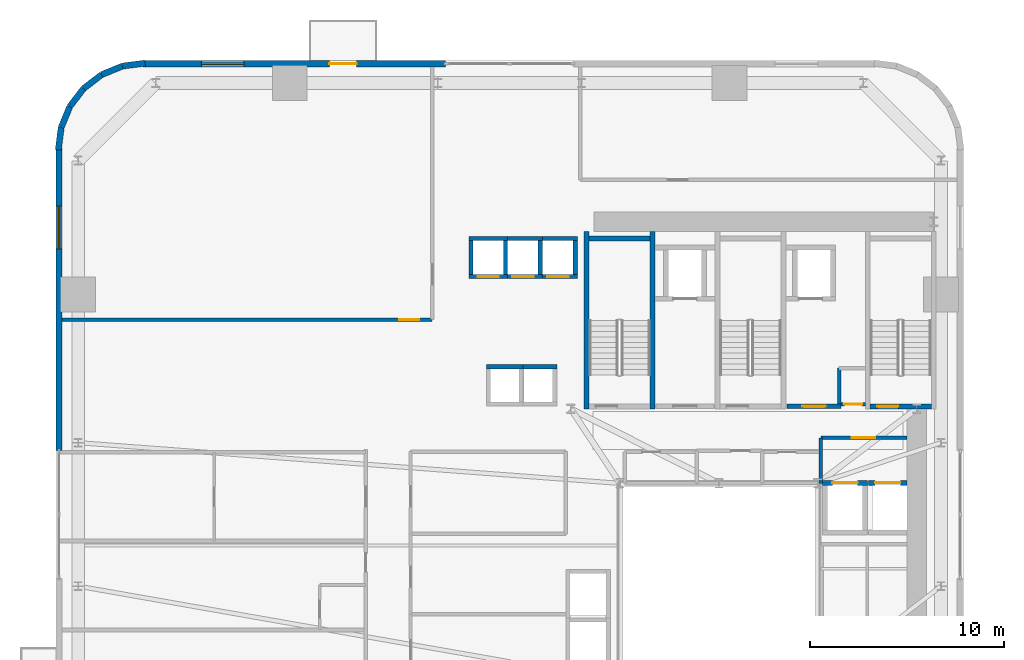
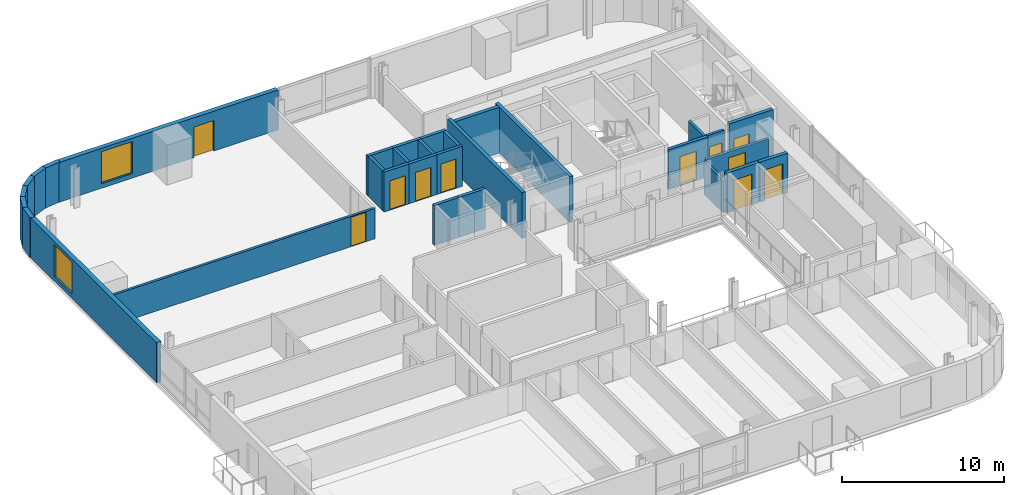
# One storey, part 8 of 13: 32 walls, 11 doors, 2 windows, 13 openings.
"""IFC4 building model written with IfcOpenShell, lengths in metres."""

import ifcopenshell
import ifcopenshell.guid

model = None  # the IFC model being written
_history = None  # IfcOwnerHistory: only IFC2X3 demands one
_inside = {}  # id of a spatial element -> (the spatial element, [elements in it])
_under = {}  # id of a project, library or spatial element -> (it, [spatial elements below it])
_declared = {}  # id of a project -> (the project, [libraries it declares])
_typed = {}  # id of a type object -> (the type object, [elements of that type])
_made_of = {}  # id of a material, layer set ... -> (it, [elements and type objects made of it])


def new_model(schema):
    """Start an empty IFC model of exactly this schema.

    Asked for "IFC4X3", IfcOpenShell would pick the latest addendum, in which some entities
    have other attributes; the version numbers below select the first issue.
    IFC2X3 requires an IfcOwnerHistory on every rooted entity: one is made here for all.
    """
    global model, _history
    if schema == "IFC4X3":
        model = ifcopenshell.file(schema_version=(4, 3, 0, 0))
    else:
        model = ifcopenshell.file(schema=schema)
    _inside.clear()
    _under.clear()
    _declared.clear()
    _typed.clear()
    _made_of.clear()
    _history = None
    if model.schema == "IFC2X3":
        org = make("IfcOrganization", Name="unknown")
        user = make(
            "IfcPersonAndOrganization",
            ThePerson=make("IfcPerson", FamilyName="unknown"),
            TheOrganization=org,
        )
        app = make(
            "IfcApplication",
            ApplicationDeveloper=org,
            Version="unknown",
            ApplicationFullName="unknown",
            ApplicationIdentifier="unknown",
        )
        _history = make(
            "IfcOwnerHistory",
            OwningUser=user,
            OwningApplication=app,
            ChangeAction="ADDED",
            CreationDate=0,
        )
    return model


def make(cls, **values):
    """One entity of the class cls with the attributes given. An attribute that is None is left unset."""
    return model.create_entity(
        cls, **{name: value for name, value in values.items() if value is not None}
    )


def rooted(cls, **values):
    """An entity with a GlobalId (a new one), such as an element, a storey or a relation."""
    return make(cls, GlobalId=ifcopenshell.guid.new(), OwnerHistory=_history, **values)


def si_unit(unit_type, name, prefix=None):
    """IfcSIUnit, for example si_unit("LENGTHUNIT", "METRE", prefix="MILLI")."""
    return make("IfcSIUnit", UnitType=unit_type, Prefix=prefix, Name=name)


def assignment(units):
    """IfcUnitAssignment: the units of a project."""
    return None if units is None else make("IfcUnitAssignment", Units=units)


def point(xyz):
    """IfcCartesianPoint."""
    return None if xyz is None else make("IfcCartesianPoint", Coordinates=xyz)


def direction(xyz):
    """IfcDirection."""
    return None if xyz is None else make("IfcDirection", DirectionRatios=xyz)


def frame(location, z_axis=None, x_axis=None):
    """IfcAxis2Placement3D, a coordinate frame: its origin and axes. An axis left out is left unset."""
    return make(
        "IfcAxis2Placement3D",
        Location=point(location),
        Axis=direction(z_axis),
        RefDirection=direction(x_axis),
    )


def frame_2d(location, x_axis=None):
    """IfcAxis2Placement2D, a coordinate frame in the plane: its origin and x axis."""
    return make(
        "IfcAxis2Placement2D", Location=point(location), RefDirection=direction(x_axis)
    )


def origin():
    """The frame at (0, 0, 0) with its axes left unset."""
    return frame((0.0, 0.0, 0.0))


def place(relative_to, where):
    """IfcLocalPlacement: puts the frame where relative to a parent placement (None: the world)."""
    return make(
        "IfcLocalPlacement", PlacementRelTo=relative_to, RelativePlacement=where
    )


def context(
    kind, dimensions, precision=None, world=None, true_north=None, identifier=None
):
    """IfcGeometricRepresentationContext, for example the 3D "Model" context."""
    return make(
        "IfcGeometricRepresentationContext",
        ContextIdentifier=identifier,
        ContextType=kind,
        CoordinateSpaceDimension=dimensions,
        Precision=precision,
        WorldCoordinateSystem=world,
        TrueNorth=true_north,
    )


def subcontext(parent, identifier, kind, view, scale=None):
    """IfcGeometricRepresentationSubContext, for example "Body" below "Model"."""
    return make(
        "IfcGeometricRepresentationSubContext",
        ContextIdentifier=identifier,
        ContextType=kind,
        ParentContext=parent,
        TargetScale=scale,
        TargetView=view,
    )


def project(units=None, contexts=None):
    """IfcProject with its units and contexts."""
    return rooted(
        "IfcProject",
        Name="project",
        RepresentationContexts=contexts,
        UnitsInContext=assignment(units),
    )


def spatial(cls, under=None, at=None, **own):
    """A site, building, storey or space (cls), placed at a placement, below another one or the project."""
    s = rooted(cls, ObjectPlacement=at, **own)
    if under is not None:
        _under.setdefault(under.id(), (under, []))[1].append(s)
    return s


def profile(cls, at=None, kind="AREA", **sizes):
    """A parametric profile (cls). Its sizes go by their IFC names, for example OverallWidth=200.0."""
    return make(cls, ProfileType=kind, Position=at, **sizes)


def rectangle(**sizes):
    """IfcRectangleProfileDef."""
    return profile("IfcRectangleProfileDef", **sizes)


def extrude(swept, where, along, depth):
    """IfcExtrudedAreaSolid: the profile swept, set in the frame where, extruded along a direction by depth."""
    return make(
        "IfcExtrudedAreaSolid",
        SweptArea=swept,
        Position=where,
        ExtrudedDirection=direction(along),
        Depth=depth,
    )


def shape(context_of_items, identifier, shape_type, items):
    """IfcShapeRepresentation: the items that make up one representation, for example the "Body"."""
    return make(
        "IfcShapeRepresentation",
        ContextOfItems=context_of_items,
        RepresentationIdentifier=identifier,
        RepresentationType=shape_type,
        Items=items,
    )


def source(mapping_origin, context_of_items, identifier, shape_type, items):
    """IfcRepresentationMap: a shape defined once, which mapped items show again and again."""
    return make(
        "IfcRepresentationMap",
        MappingOrigin=mapping_origin,
        MappedRepresentation=shape(context_of_items, identifier, shape_type, items),
    )


def transform(
    local_origin,
    x_axis=None,
    y_axis=None,
    z_axis=None,
    scale=None,
    scale2=None,
    scale3=None,
    uniform=True,
):
    """IfcCartesianTransformationOperator3D, or its non-uniform kind. x_axis, y_axis, z_axis: its Axis1, 2, 3."""
    if uniform:
        return make(
            "IfcCartesianTransformationOperator3D",
            Axis1=direction(x_axis),
            Axis2=direction(y_axis),
            LocalOrigin=point(local_origin),
            Scale=scale,
            Axis3=direction(z_axis),
        )
    return make(
        "IfcCartesianTransformationOperator3DnonUniform",
        Axis1=direction(x_axis),
        Axis2=direction(y_axis),
        LocalOrigin=point(local_origin),
        Scale=scale,
        Axis3=direction(z_axis),
        Scale2=scale2,
        Scale3=scale3,
    )


def mapped(mapping_source, mapping_target):
    """IfcMappedItem: shows the shape of a source again, moved by a transform."""
    return make(
        "IfcMappedItem", MappingSource=mapping_source, MappingTarget=mapping_target
    )


def material(Name=None, Category=None):
    """IfcMaterial."""
    return make("IfcMaterial", Name=Name, Category=Category)


def layer(
    of_material, thickness, ventilated=None, Name=None, Category=None, Priority=None
):
    """IfcMaterialLayer: one layer of a wall or slab, of a material (None: an air gap)."""
    return make(
        "IfcMaterialLayer",
        Material=of_material,
        LayerThickness=thickness,
        IsVentilated=ventilated,
        Name=Name,
        Category=Category,
        Priority=Priority,
    )


def layer_set(layers, Name=None):
    """IfcMaterialLayerSet."""
    return make("IfcMaterialLayerSet", MaterialLayers=layers, LayerSetName=Name)


def made_of(thing, what):
    """Note that an element or type object is made of a material, layer set ...; save() writes the relation."""
    if what is not None:
        _made_of.setdefault(what.id(), (what, []))[1].append(thing)
    return thing


def type_object(cls, material=None, **own):
    """A type object (cls), such as IfcWallType, which elements share."""
    return made_of(rooted(cls, **own), material)


def element(
    cls,
    number,
    at=None,
    inside=None,
    cuts=None,
    type_object=None,
    material=None,
    context=None,
    identifier="Body",
    shape_type=None,
    held_by="IfcProductDefinitionShape",
    body=None,
    shapes=None,
    **own,
):
    """One element of the class cls, such as IfcWall. Its Tag is "e" and its number.

    at: its placement. inside: the storey or other place that contains it. cuts: it is an
    opening in that element (IfcRelVoidsElement). A single representation is given by context,
    identifier, shape_type and body (its items); several are given by shapes. held_by: the class
    of the entity that holds the representations. save() writes the other relations.
    """
    e = rooted(cls, Tag="e%d" % number, ObjectPlacement=at, **own)
    if body is not None:
        shapes = [shape(context, identifier, shape_type, body)]
    if shapes is not None:
        e.Representation = make(held_by, Representations=shapes)
    if inside is not None:
        _inside.setdefault(inside.id(), (inside, []))[1].append(e)
    if cuts is not None:
        rooted(
            "IfcRelVoidsElement", RelatingBuildingElement=cuts, RelatedOpeningElement=e
        )
    if type_object is not None:
        _typed.setdefault(type_object.id(), (type_object, []))[1].append(e)
    return made_of(e, material)


def fill(opening, filler):
    """IfcRelFillsElement: the door or window that sits in an opening."""
    return rooted(
        "IfcRelFillsElement",
        RelatingOpeningElement=opening,
        RelatedBuildingElement=filler,
    )


def aggregate(whole, parts):
    """IfcRelAggregates: a whole, such as a stair, and the parts it consists of."""
    return rooted("IfcRelAggregates", RelatingObject=whole, RelatedObjects=parts)


def save(model, path):
    """Write the relations noted so far, then the file.

    IfcRelAggregates (storeys below a building ...), IfcRelContainedInSpatialStructure (elements
    in a storey), IfcRelDefinesByType, IfcRelAssociatesMaterial and IfcRelDeclares: one each for
    every whole, place, type object, material and project.
    """
    for whole, parts in _under.values():
        aggregate(whole, parts)
    for where, things in _inside.values():
        rooted(
            "IfcRelContainedInSpatialStructure",
            RelatedElements=things,
            RelatingStructure=where,
        )
    for kind, things in _typed.values():
        rooted("IfcRelDefinesByType", RelatedObjects=things, RelatingType=kind)
    for what, things in _made_of.values():
        rooted("IfcRelAssociatesMaterial", RelatedObjects=things, RelatingMaterial=what)
    for by, libraries in _declared.values():
        rooted("IfcRelDeclares", RelatingContext=by, RelatedDefinitions=libraries)
    model.write(path)


model = new_model("IFC4")

# Units and contexts
model_context = context("Model", 3, precision=1e-05, world=origin(), true_north=direction((0.0, 1.0)))
body_context = subcontext(model_context, "Body", "Model", "MODEL_VIEW")
ifc_project = project(units=[si_unit("LENGTHUNIT", "METRE"), si_unit("AREAUNIT", "SQUARE_METRE"), si_unit("VOLUMEUNIT", "CUBIC_METRE"), si_unit("PLANEANGLEUNIT", "RADIAN"), si_unit("MASSUNIT", "GRAM", prefix="KILO")], contexts=[model_context])

# Site, building, storey
site_placement = place(None, origin())
site = spatial("IfcSite", under=ifc_project, at=site_placement, CompositionType="ELEMENT")
building_placement = place(site_placement, origin())
building = spatial("IfcBuilding", under=site, at=building_placement, Name="Vardaveli Station Tower", CompositionType="ELEMENT")
storey_placement = place(building_placement, frame((0.0, 0.0, 89.64990234375)))
storey = spatial("IfcBuildingStorey", under=building, at=storey_placement, Name="L23", CompositionType="ELEMENT", Elevation=89.64990234375)

# Wall, openings, door, window
ifc_material_1 = material(Name="Precast concrete C45/55", Category="concrete")
ifc_layer_1 = layer(ifc_material_1, 0.320068359375, Name="Precast concrete C45/55")
ifc_layer_set_1 = layer_set([ifc_layer_1], Name="Precast concrete C45/55")
wall_type_1 = type_object("IfcWallType", Name="WAL-EXT-STONE-320", PredefinedType="SOLIDWALL", material=ifc_layer_set_1)
shared_shape_1 = source(origin(), body_context, "Body", "SweptSolid", [
    extrude(rectangle(XDim=15.599853515625, YDim=0.320068359375, at=frame_2d((7.7998046875, 0.0))), origin(), (0.0, 0.0, 1.0), 3.0),
])
wall_1_placement = place(storey_placement, frame((22.199951171875, 48.43994140625, 0.0), z_axis=(0.0, 0.0, 1.0), x_axis=(-1.0, 0.0, 0.0)))
wall_1 = element("IfcWall", 1, at=wall_1_placement, inside=storey, type_object=wall_type_1, Name="EW-L23-N2", PredefinedType="SOLIDWALL", context=body_context, shape_type="MappedRepresentation", body=[
    mapped(shared_shape_1, transform((0.0, 0.0, 0.0), scale=1.0)),
])
shared_shape_2 = source(origin(), body_context, "Body", "SweptSolid", [
    extrude(rectangle(XDim=1.39990234375, YDim=2.300048828125, at=frame_2d((0.699951171875, 1.14990234375))), frame((0.0, 0.169921875, 0.0), z_axis=(0.0, -1.0, 0.0), x_axis=(1.0, 0.0, 0.0)), (0.0, 0.0, 1.0), 0.340087890625),
])
opening_1_placement = place(wall_1_placement, frame((4.589599609375, 0.0, 0.0)))
opening_1 = element("IfcOpeningElement", 2, at=opening_1_placement, cuts=wall_1, Name="Opening D-09", PredefinedType="OPENING", context=body_context, shape_type="MappedRepresentation", body=[
    mapped(shared_shape_2, transform((0.0, 0.0, 0.0), scale=1.0)),
])
shared_shape_3 = source(origin(), body_context, "Body", "SweptSolid", [
    extrude(rectangle(XDim=2.199951171875, YDim=2.39990234375, at=frame_2d((1.10009765625, 1.199951171875))), frame((0.0, 0.169921875, 0.0), z_axis=(0.0, -1.0, 0.0), x_axis=(1.0, 0.0, 0.0)), (0.0, 0.0, 1.0), 0.340087890625),
])
opening_2_placement = place(wall_1_placement, frame((10.39501953125, 0.0, 0.35009765625)))
opening_2 = element("IfcOpeningElement", 3, at=opening_2_placement, cuts=wall_1, Name="Opening W-03", PredefinedType="OPENING", context=body_context, shape_type="MappedRepresentation", body=[
    mapped(shared_shape_3, transform((0.0, 0.0, 0.0), scale=1.0)),
])
ifc_material_2 = material(Name="Thermally broken aluminium glass", Category="aluminium")
door_type_1 = type_object("IfcDoorType", Name="DR-LOG-1400x2300", OperationType="DOUBLE_DOOR_SLIDING", PredefinedType="DOOR", material=ifc_material_2)
shared_shape_4 = source(origin(), body_context, "Body", "SweptSolid", [
    extrude(rectangle(XDim=1.39990234375, YDim=2.300048828125, at=frame_2d((0.699951171875, 1.14990234375))), frame((0.0, 0.02490234375, 0.0), z_axis=(0.0, -1.0, 0.0), x_axis=(1.0, 0.0, 0.0)), (0.0, 0.0, 1.0), 0.050048828125),
])
door_1_placement = place(opening_1_placement, frame((1.39990234375, 0.0, 0.0), z_axis=(0.0, 0.0, 1.0), x_axis=(-1.0, 0.0, 0.0)))
door_1 = element("IfcDoor", 4, at=door_1_placement, inside=storey, type_object=door_type_1, Name="DLG-L23-N", OperationType="DOUBLE_DOOR_SLIDING", OverallHeight=2.300048828125, OverallWidth=1.39990234375, PredefinedType="DOOR", context=body_context, shape_type="MappedRepresentation", body=[
    mapped(shared_shape_4, transform((0.0, 0.0, 0.0), scale=1.0)),
])
fill(opening_1, door_1)
ifc_material_3 = material(Name="Low-E solar-control glass", Category="glass")
window_type = type_object("IfcWindowType", Name="WIN-LOG-2200x2400", PartitioningType="SINGLE_PANEL", PredefinedType="WINDOW", material=ifc_material_3)
shared_shape_5 = source(origin(), body_context, "Body", "SweptSolid", [
    extrude(rectangle(XDim=2.199951171875, YDim=2.39990234375, at=frame_2d((1.10009765625, 1.199951171875))), frame((0.0, 0.030029296875, 0.0), z_axis=(0.0, -1.0, 0.0), x_axis=(1.0, 0.0, 0.0)), (0.0, 0.0, 1.0), 0.06005859375),
])
window_1_placement = place(opening_2_placement, origin())
window_1 = element("IfcWindow", 5, at=window_1_placement, inside=storey, type_object=window_type, Name="WN-L23-N2", OverallHeight=2.39990234375, OverallWidth=2.199951171875, PartitioningType="SINGLE_PANEL", PredefinedType="WINDOW", context=body_context, shape_type="MappedRepresentation", body=[
    mapped(shared_shape_5, transform((0.0, 0.0, 0.0), scale=1.0)),
])
fill(opening_2, window_1)

# Wall, opening, window
shared_shape_6 = source(origin(), body_context, "Body", "SweptSolid", [
    extrude(rectangle(XDim=15.60009765625, YDim=0.320068359375, at=frame_2d((7.800048828125, 0.0))), origin(), (0.0, 0.0, 1.0), 3.0),
])
wall_2_placement = place(storey_placement, frame((2.260009765625, 44.10009765625, 0.0), z_axis=(0.0, 0.0, 1.0), x_axis=(0.0, -1.0, 0.0)))
wall_2 = element("IfcWall", 6, at=wall_2_placement, inside=storey, type_object=wall_type_1, Name="EW-L23-W1", PredefinedType="SOLIDWALL", context=body_context, shape_type="MappedRepresentation", body=[
    mapped(shared_shape_6, transform((0.0, 0.0, 0.0), scale=1.0)),
])
opening_3_placement = place(wall_2_placement, frame((3.0048828125, 0.0, 0.35009765625)))
opening_3 = element("IfcOpeningElement", 7, at=opening_3_placement, cuts=wall_2, Name="Opening W-03", PredefinedType="OPENING", context=body_context, shape_type="MappedRepresentation", body=[
    mapped(shared_shape_3, transform((0.0, 0.0, 0.0), scale=1.0)),
])
window_2_placement = place(opening_3_placement, origin())
window_2 = element("IfcWindow", 8, at=window_2_placement, inside=storey, type_object=window_type, Name="WN-L23-W1", OverallHeight=2.39990234375, OverallWidth=2.199951171875, PartitioningType="SINGLE_PANEL", PredefinedType="WINDOW", context=body_context, shape_type="MappedRepresentation", body=[
    mapped(shared_shape_5, transform((0.0, 0.0, 0.0), scale=1.0)),
])
fill(opening_3, window_2)

# Walls
shared_shape_7 = source(origin(), body_context, "Body", "SweptSolid", [
    extrude(rectangle(XDim=1.1689453125, YDim=0.320068359375, at=frame_2d((0.58447265625, 0.0))), origin(), (0.0, 0.0, 1.0), 3.0),
])
wall_3_placement = place(storey_placement, frame((3.53125, 47.1689453125, 0.0), z_axis=(0.0, 0.0, 1.0), x_axis=(-0.608387696831, -0.793639975269, 0.0)))
element("IfcWall", 9, at=wall_3_placement, inside=storey, type_object=wall_type_1, Name="EW-L23-CR4-4", PredefinedType="SOLIDWALL", context=body_context, shape_type="MappedRepresentation", body=[
    mapped(shared_shape_7, transform((0.0, 0.0, 0.0), scale=1.0)),
])
shared_shape_8 = source(origin(), body_context, "Body", "SweptSolid", [
    extrude(rectangle(XDim=1.168701171875, YDim=0.320068359375, at=frame_2d((0.58447265625, 0.0))), origin(), (0.0, 0.0, 1.0), 3.0),
])
wall_4_placement = place(storey_placement, frame((4.458740234375, 47.8798828125, 0.0), z_axis=(0.0, 0.0, 1.0), x_axis=(-0.793663520347, -0.608356981114, 0.0)))
element("IfcWall", 10, at=wall_4_placement, inside=storey, type_object=wall_type_1, Name="EW-L23-CR4-3", PredefinedType="SOLIDWALL", context=body_context, shape_type="MappedRepresentation", body=[
    mapped(shared_shape_8, transform((0.0, 0.0, 0.0), scale=1.0)),
])
shared_shape_9 = source(origin(), body_context, "Body", "SweptSolid", [
    extrude(rectangle(XDim=1.17041015625, YDim=0.320068359375, at=frame_2d((0.585205078125, 0.0))), origin(), (0.0, 0.0, 1.0), 3.0),
])
for number, where, z_axis, x_axis, name in (
    (11, (6.700439453125, 48.4755859375, 0.0), (0.0, 0.0, 1.0), (-0.991735963317, -0.128295670475, 0.0), "EW-L23-CR4-1"),
    (12, (2.37451171875, 45.16015625, 0.0), (0.0, 0.0, 1.0), (-0.128295670475, -0.991735963317, 0.0), "EW-L23-CR4-6"),
):
    element("IfcWall", number, at=place(storey_placement, frame(where, z_axis=z_axis, x_axis=x_axis)), inside=storey, type_object=wall_type_1, Name=name, PredefinedType="SOLIDWALL", context=body_context, shape_type="MappedRepresentation", body=[
        mapped(shared_shape_9, transform((0.0, 0.0, 0.0), scale=1.0)),
    ])
shared_shape_10 = source(origin(), body_context, "Body", "SweptSolid", [
    extrude(rectangle(XDim=1.169189453125, YDim=0.320068359375, at=frame_2d((0.58447265625, 0.0))), origin(), (0.0, 0.0, 1.0), 3.0),
])
for number, where, z_axis, x_axis, name in (
    (13, (5.539794921875, 48.325439453125, 0.0), (0.0, 0.0, 1.0), (-0.924552646638, -0.381054331552, 0.0), "EW-L23-CR4-2"),
    (14, (2.820068359375, 46.2412109375, 0.0), (0.0, 0.0, 1.0), (-0.381054331552, -0.924552646638, 0.0), "EW-L23-CR4-5"),
):
    element("IfcWall", number, at=place(storey_placement, frame(where, z_axis=z_axis, x_axis=x_axis)), inside=storey, type_object=wall_type_1, Name=name, PredefinedType="SOLIDWALL", context=body_context, shape_type="MappedRepresentation", body=[
        mapped(shared_shape_10, transform((0.0, 0.0, 0.0), scale=1.0)),
    ])
ifc_material_4 = material(Name="Concrete C40/50", Category="concrete")
ifc_layer_2 = layer(ifc_material_4, 0.25, Name="Concrete C40/50")
ifc_layer_set_2 = layer_set([ifc_layer_2], Name="Concrete C40/50")
wall_type_2 = type_object("IfcWallType", Name="WAL-SHAFT-250", PredefinedType="SOLIDWALL", material=ifc_layer_set_2)
shared_shape_11 = source(origin(), body_context, "Body", "SweptSolid", [
    extrude(rectangle(XDim=9.150146484375, YDim=0.25, at=frame_2d((4.5751953125, 0.0))), origin(), (0.0, 0.0, 1.0), 3.4501953125),
])
for number, where, z_axis, x_axis, name in (
    (15, (29.47509765625, 30.64990234375, 0.0), (0.0, 0.0, 1.0), (0.0, 1.0, 0.0), "W-L23-ST-1W"),
    (16, (32.875, 30.64990234375, 0.0), (0.0, 0.0, 1.0), (0.0, 1.0, 0.0), "W-L23-ST-1E"),
):
    element("IfcWall", number, at=place(storey_placement, frame(where, z_axis=z_axis, x_axis=x_axis)), inside=storey, type_object=wall_type_2, Name=name, PredefinedType="SOLIDWALL", context=body_context, shape_type="MappedRepresentation", body=[
        mapped(shared_shape_11, transform((0.0, 0.0, 0.0), scale=1.0)),
    ])
shared_shape_12 = source(origin(), body_context, "Body", "SweptSolid", [
    extrude(rectangle(XDim=3.14990234375, YDim=0.25, at=frame_2d((1.574951171875, 0.0))), origin(), (0.0, 0.0, 1.0), 3.4501953125),
])
wall_5_placement = place(storey_placement, frame((29.60009765625, 39.425048828125, 0.0), z_axis=(0.0, 0.0, 1.0), x_axis=(1.0, 0.0, 0.0)))
element("IfcWall", 17, at=wall_5_placement, inside=storey, type_object=wall_type_2, Name="W-L23-ST-1N", PredefinedType="SOLIDWALL", context=body_context, shape_type="MappedRepresentation", body=[
    mapped(shared_shape_12, transform((0.0, 0.0, 0.0), scale=1.0)),
])

# Wall, opening, door
wall_6_placement = place(storey_placement, frame((44.10009765625, 30.77490234375, 0.0), z_axis=(0.0, 0.0, 1.0), x_axis=(1.0, 0.0, 0.0)))
wall_6 = element("IfcWall", 18, at=wall_6_placement, inside=storey, type_object=wall_type_2, Name="W-L23-ST-3S", PredefinedType="SOLIDWALL", context=body_context, shape_type="MappedRepresentation", body=[
    mapped(shared_shape_12, transform((0.0, 0.0, 0.0), scale=1.0)),
])
shared_shape_13 = source(origin(), body_context, "Body", "SweptSolid", [
    extrude(rectangle(XDim=1.10009765625, YDim=2.199951171875, at=frame_2d((0.550048828125, 1.10009765625))), frame((0.0, 0.135009765625, 0.0), z_axis=(0.0, -1.0, 0.0), x_axis=(1.0, 0.0, 0.0)), (0.0, 0.0, 1.0), 0.27001953125),
])
opening_4_placement = place(wall_6_placement, frame((0.35009765625, 0.0, 0.0)))
opening_4 = element("IfcOpeningElement", 19, at=opening_4_placement, cuts=wall_6, Name="Opening D-04", PredefinedType="OPENING", context=body_context, shape_type="MappedRepresentation", body=[
    mapped(shared_shape_13, transform((0.0, 0.0, 0.0), scale=1.0)),
])
ifc_material_5 = material(Name="Steel smokeproof fire doorset", Category="steel")
door_type_2 = type_object("IfcDoorType", Name="DR-ST-1100x2200", OperationType="NOTDEFINED", PredefinedType="DOOR", material=ifc_material_5)
shared_shape_14 = source(origin(), body_context, "Body", "SweptSolid", [
    extrude(rectangle(XDim=1.10009765625, YDim=2.199951171875, at=frame_2d((0.550048828125, 1.10009765625))), frame((0.0, 0.02490234375, 0.0), z_axis=(0.0, -1.0, 0.0), x_axis=(1.0, 0.0, 0.0)), (0.0, 0.0, 1.0), 0.050048828125),
])
door_2_placement = place(opening_4_placement, origin())
door_2 = element("IfcDoor", 20, at=door_2_placement, inside=storey, type_object=door_type_2, Name="DST-3-L23", OperationType="SINGLE_SWING_LEFT", OverallHeight=2.199951171875, OverallWidth=1.10009765625, PredefinedType="DOOR", context=body_context, shape_type="MappedRepresentation", body=[
    mapped(shared_shape_14, transform((0.0, 0.0, 0.0), scale=1.0)),
])
fill(opening_4, door_2)

ifc_layer_3 = layer(ifc_material_4, 0.219970703125, Name="Concrete C40/50")
ifc_layer_set_3 = layer_set([ifc_layer_3], Name="Concrete C40/50")
wall_type_3 = type_object("IfcWallType", Name="WAL-FFLOBBY-220", PredefinedType="SOLIDWALL", material=ifc_layer_set_3)
shared_shape_15 = source(origin(), body_context, "Body", "SweptSolid", [
    extrude(rectangle(XDim=2.800048828125, YDim=0.219970703125, at=frame_2d((1.39990234375, 0.0))), origin(), (0.0, 0.0, 1.0), 3.0),
])
wall_7_placement = place(storey_placement, frame((39.800048828125, 30.780029296875, 0.0), z_axis=(0.0, 0.0, 1.0), x_axis=(1.0, 0.0, 0.0)))
wall_7 = element("IfcWall", 21, at=wall_7_placement, inside=storey, type_object=wall_type_3, Name="W-L23-FFL2S", PredefinedType="SOLIDWALL", context=body_context, shape_type="MappedRepresentation", body=[
    mapped(shared_shape_15, transform((0.0, 0.0, 0.0), scale=1.0)),
])
shared_shape_16 = source(origin(), body_context, "Body", "SweptSolid", [
    extrude(rectangle(XDim=1.199951171875, YDim=2.199951171875, at=frame_2d((0.60009765625, 1.10009765625))), frame((0.0, 0.1201171875, 0.0), z_axis=(0.0, -1.0, 0.0), x_axis=(1.0, 0.0, 0.0)), (0.0, 0.0, 1.0), 0.239990234375),
])
opening_5_placement = place(wall_7_placement, frame((0.800048828125, 0.0, 0.0)))
opening_5 = element("IfcOpeningElement", 22, at=opening_5_placement, cuts=wall_7, Name="Opening D-03", PredefinedType="OPENING", context=body_context, shape_type="MappedRepresentation", body=[
    mapped(shared_shape_16, transform((0.0, 0.0, 0.0), scale=1.0)),
])
door_type_3 = type_object("IfcDoorType", Name="DR-FFL-1200x2200", OperationType="NOTDEFINED", PredefinedType="DOOR", material=ifc_material_5)
shared_shape_17 = source(origin(), body_context, "Body", "SweptSolid", [
    extrude(rectangle(XDim=1.199951171875, YDim=2.199951171875, at=frame_2d((0.60009765625, 1.10009765625))), frame((0.0, 0.02490234375, 0.0), z_axis=(0.0, -1.0, 0.0), x_axis=(1.0, 0.0, 0.0)), (0.0, 0.0, 1.0), 0.050048828125),
])
door_3_placement = place(opening_5_placement, origin())
door_3 = element("IfcDoor", 23, at=door_3_placement, inside=storey, type_object=door_type_3, Name="DFFL2-L23", OperationType="SINGLE_SWING_RIGHT", OverallHeight=2.199951171875, OverallWidth=1.199951171875, PredefinedType="DOOR", context=body_context, shape_type="MappedRepresentation", body=[
    mapped(shared_shape_17, transform((0.0, 0.0, 0.0), scale=1.0)),
])
fill(opening_5, door_3)

shared_shape_18 = source(origin(), body_context, "Body", "SweptSolid", [
    extrude(rectangle(XDim=1.989990234375, YDim=0.219970703125, at=frame_2d((0.9951171875, 0.0))), origin(), (0.0, 0.0, 1.0), 3.0),
])
wall_8_placement = place(storey_placement, frame((23.405029296875, 37.465087890625, 0.0), z_axis=(0.0, 0.0, 1.0), x_axis=(1.0, 0.0, 0.0)))
wall_8 = element("IfcWall", 24, at=wall_8_placement, inside=storey, type_object=wall_type_3, Name="SHW-HL1-01-L23-S", PredefinedType="SOLIDWALL", context=body_context, shape_type="MappedRepresentation", body=[
    mapped(shared_shape_18, transform((0.0, 0.0, 0.0), scale=1.0)),
])
shared_shape_19 = source(origin(), body_context, "Body", "SweptSolid", [
    extrude(rectangle(XDim=1.10009765625, YDim=2.199951171875, at=frame_2d((0.550048828125, 1.10009765625))), frame((0.0, 0.1201171875, 0.0), z_axis=(0.0, -1.0, 0.0), x_axis=(1.0, 0.0, 0.0)), (0.0, 0.0, 1.0), 0.239990234375),
])
opening_6_placement = place(wall_8_placement, frame((0.445068359375, 0.0, 0.0)))
opening_6 = element("IfcOpeningElement", 25, at=opening_6_placement, cuts=wall_8, Name="Opening LD-01", PredefinedType="OPENING", context=body_context, shape_type="MappedRepresentation", body=[
    mapped(shared_shape_19, transform((0.0, 0.0, 0.0), scale=1.0)),
])
ifc_material_6 = material(Name="Brushed stainless steel", Category="steel")
door_type_4 = type_object("IfcDoorType", Name="DR-LD-1100x2200", OperationType="DOUBLE_DOOR_SLIDING", PredefinedType="DOOR", material=ifc_material_6)
door_4_placement = place(opening_6_placement, origin())
door_4 = element("IfcDoor", 26, at=door_4_placement, inside=storey, type_object=door_type_4, Name="LD-HL1-01-L23", OperationType="DOUBLE_DOOR_SLIDING", OverallHeight=2.199951171875, OverallWidth=1.10009765625, PredefinedType="DOOR", context=body_context, shape_type="MappedRepresentation", body=[
    mapped(shared_shape_14, transform((0.0, 0.0, 0.0), scale=1.0)),
])
fill(opening_6, door_4)

# Wall
wall_9_placement = place(storey_placement, frame((23.405029296875, 39.43505859375, 0.0), z_axis=(0.0, 0.0, 1.0), x_axis=(1.0, 0.0, 0.0)))
element("IfcWall", 27, at=wall_9_placement, inside=storey, type_object=wall_type_3, Name="SHW-HL1-01-L23-N", PredefinedType="SOLIDWALL", context=body_context, shape_type="MappedRepresentation", body=[
    mapped(shared_shape_18, transform((0.0, 0.0, 0.0), scale=1.0)),
])

# Wall, opening, door
wall_10_placement = place(storey_placement, frame((25.205078125, 37.465087890625, 0.0), z_axis=(0.0, 0.0, 1.0), x_axis=(1.0, 0.0, 0.0)))
wall_10 = element("IfcWall", 28, at=wall_10_placement, inside=storey, type_object=wall_type_3, Name="SHW-HL1-02-L23-S", PredefinedType="SOLIDWALL", context=body_context, shape_type="MappedRepresentation", body=[
    mapped(shared_shape_18, transform((0.0, 0.0, 0.0), scale=1.0)),
])
opening_7_placement = place(wall_10_placement, frame((0.445068359375, 0.0, 0.0)))
opening_7 = element("IfcOpeningElement", 29, at=opening_7_placement, cuts=wall_10, Name="Opening LD-01", PredefinedType="OPENING", context=body_context, shape_type="MappedRepresentation", body=[
    mapped(shared_shape_19, transform((0.0, 0.0, 0.0), scale=1.0)),
])
door_5_placement = place(opening_7_placement, origin())
door_5 = element("IfcDoor", 30, at=door_5_placement, inside=storey, type_object=door_type_4, Name="LD-HL1-02-L23", OperationType="DOUBLE_DOOR_SLIDING", OverallHeight=2.199951171875, OverallWidth=1.10009765625, PredefinedType="DOOR", context=body_context, shape_type="MappedRepresentation", body=[
    mapped(shared_shape_14, transform((0.0, 0.0, 0.0), scale=1.0)),
])
fill(opening_7, door_5)

# Walls
wall_11_placement = place(storey_placement, frame((25.205078125, 39.43505859375, 0.0), z_axis=(0.0, 0.0, 1.0), x_axis=(1.0, 0.0, 0.0)))
element("IfcWall", 31, at=wall_11_placement, inside=storey, type_object=wall_type_3, Name="SHW-HL1-02-L23-N", PredefinedType="SOLIDWALL", context=body_context, shape_type="MappedRepresentation", body=[
    mapped(shared_shape_18, transform((0.0, 0.0, 0.0), scale=1.0)),
])
shared_shape_20 = source(origin(), body_context, "Body", "SweptSolid", [
    extrude(rectangle(XDim=1.75, YDim=0.219970703125, at=frame_2d((0.875, 0.0))), origin(), (0.0, 0.0, 1.0), 3.0),
])
for number, where, z_axis, x_axis, name in (
    (32, (23.514892578125, 37.574951171875, 0.0), (0.0, 0.0, 1.0), (0.0, 1.0, 0.0), "SHW-HL1-01-L23-W"),
    (33, (25.284912109375, 37.574951171875, 0.0), (0.0, 0.0, 1.0), (0.0, 1.0, 0.0), "SHW-HL1-01-L23-E"),
    (34, (27.0849609375, 37.574951171875, 0.0), (0.0, 0.0, 1.0), (0.0, 1.0, 0.0), "SHW-HL1-02-L23-E"),
    (35, (28.885009765625, 37.574951171875, 0.0), (0.0, 0.0, 1.0), (0.0, 1.0, 0.0), "SHW-HL1-03-L23-E"),
):
    element("IfcWall", number, at=place(storey_placement, frame(where, z_axis=z_axis, x_axis=x_axis)), inside=storey, type_object=wall_type_3, Name=name, PredefinedType="SOLIDWALL", context=body_context, shape_type="MappedRepresentation", body=[
        mapped(shared_shape_20, transform((0.0, 0.0, 0.0), scale=1.0)),
    ])

# Wall, opening, door
shared_shape_21 = source(origin(), body_context, "Body", "SweptSolid", [
    extrude(rectangle(XDim=1.990234375, YDim=0.219970703125, at=frame_2d((0.9951171875, 0.0))), origin(), (0.0, 0.0, 1.0), 3.0),
])
wall_12_placement = place(storey_placement, frame((27.0048828125, 37.465087890625, 0.0), z_axis=(0.0, 0.0, 1.0), x_axis=(1.0, 0.0, 0.0)))
wall_12 = element("IfcWall", 36, at=wall_12_placement, inside=storey, type_object=wall_type_3, Name="SHW-HL1-03-L23-S", PredefinedType="SOLIDWALL", context=body_context, shape_type="MappedRepresentation", body=[
    mapped(shared_shape_21, transform((0.0, 0.0, 0.0), scale=1.0)),
])
opening_8_placement = place(wall_12_placement, frame((0.445068359375, 0.0, 0.0)))
opening_8 = element("IfcOpeningElement", 37, at=opening_8_placement, cuts=wall_12, Name="Opening LD-01", PredefinedType="OPENING", context=body_context, shape_type="MappedRepresentation", body=[
    mapped(shared_shape_19, transform((0.0, 0.0, 0.0), scale=1.0)),
])
door_6_placement = place(opening_8_placement, origin())
door_6 = element("IfcDoor", 38, at=door_6_placement, inside=storey, type_object=door_type_4, Name="LD-HL1-03-L23", OperationType="DOUBLE_DOOR_SLIDING", OverallHeight=2.199951171875, OverallWidth=1.10009765625, PredefinedType="DOOR", context=body_context, shape_type="MappedRepresentation", body=[
    mapped(shared_shape_14, transform((0.0, 0.0, 0.0), scale=1.0)),
])
fill(opening_8, door_6)

# Walls
wall_13_placement = place(storey_placement, frame((27.0048828125, 39.43505859375, 0.0), z_axis=(0.0, 0.0, 1.0), x_axis=(1.0, 0.0, 0.0)))
element("IfcWall", 39, at=wall_13_placement, inside=storey, type_object=wall_type_3, Name="SHW-HL1-03-L23-N", PredefinedType="SOLIDWALL", context=body_context, shape_type="MappedRepresentation", body=[
    mapped(shared_shape_21, transform((0.0, 0.0, 0.0), scale=1.0)),
])
shared_shape_22 = source(origin(), body_context, "Body", "SweptSolid", [
    extrude(rectangle(XDim=1.89013671875, YDim=0.219970703125, at=frame_2d((0.945068359375, 0.0))), origin(), (0.0, 0.0, 1.0), 3.0),
])
for number, where, z_axis, x_axis, name in (
    (40, (24.304931640625, 32.81005859375, 0.0), (0.0, 0.0, 1.0), (1.0, 0.0, 0.0), "SHW-SHU-01-L23-N"),
    (41, (26.054931640625, 32.81005859375, 0.0), (0.0, 0.0, 1.0), (1.0, 0.0, 0.0), "SHW-SHU-02-L23-N"),
):
    element("IfcWall", number, at=place(storey_placement, frame(where, z_axis=z_axis, x_axis=x_axis)), inside=storey, type_object=wall_type_3, Name=name, PredefinedType="SOLIDWALL", context=body_context, shape_type="MappedRepresentation", body=[
        mapped(shared_shape_22, transform((0.0, 0.0, 0.0), scale=1.0)),
    ])

# Wall, opening, door
shared_shape_23 = source(origin(), body_context, "Body", "SweptSolid", [
    extrude(rectangle(XDim=2.300048828125, YDim=0.25, at=frame_2d((1.14990234375, 0.0))), origin(), (0.0, 0.0, 1.0), 3.0),
])
wall_14_placement = place(storey_placement, frame((41.64990234375, 26.824951171875, 0.0), z_axis=(0.0, 0.0, 1.0), x_axis=(1.0, 0.0, 0.0)))
wall_14 = element("IfcWall", 42, at=wall_14_placement, inside=storey, type_object=wall_type_2, Name="SHW-SRV-01-L23-N", PredefinedType="SOLIDWALL", context=body_context, shape_type="MappedRepresentation", body=[
    mapped(shared_shape_23, transform((0.0, 0.0, 0.0), scale=1.0)),
])
shared_shape_24 = source(origin(), body_context, "Body", "SweptSolid", [
    extrude(rectangle(XDim=1.300048828125, YDim=2.300048828125, at=frame_2d((0.64990234375, 1.14990234375))), frame((0.0, 0.135009765625, 0.0), z_axis=(0.0, -1.0, 0.0), x_axis=(1.0, 0.0, 0.0)), (0.0, 0.0, 1.0), 0.27001953125),
])
opening_9_placement = place(wall_14_placement, frame((0.5, 0.0, 0.0)))
opening_9 = element("IfcOpeningElement", 43, at=opening_9_placement, cuts=wall_14, Name="Opening LD-03", PredefinedType="OPENING", context=body_context, shape_type="MappedRepresentation", body=[
    mapped(shared_shape_24, transform((0.0, 0.0, 0.0), scale=1.0)),
])
door_type_5 = type_object("IfcDoorType", Name="DR-LD-1300x2300", OperationType="DOUBLE_DOOR_SLIDING", PredefinedType="DOOR", material=ifc_material_6)
shared_shape_25 = source(origin(), body_context, "Body", "SweptSolid", [
    extrude(rectangle(XDim=1.300048828125, YDim=2.300048828125, at=frame_2d((0.64990234375, 1.14990234375))), frame((0.0, 0.02490234375, 0.0), z_axis=(0.0, -1.0, 0.0), x_axis=(1.0, 0.0, 0.0)), (0.0, 0.0, 1.0), 0.050048828125),
])
door_7_placement = place(opening_9_placement, origin())
door_7 = element("IfcDoor", 44, at=door_7_placement, inside=storey, type_object=door_type_5, Name="LD-SRV-01-L23", OperationType="DOUBLE_DOOR_SLIDING", OverallHeight=2.300048828125, OverallWidth=1.300048828125, PredefinedType="DOOR", context=body_context, shape_type="MappedRepresentation", body=[
    mapped(shared_shape_25, transform((0.0, 0.0, 0.0), scale=1.0)),
])
fill(opening_9, door_7)

shared_shape_26 = source(origin(), body_context, "Body", "SweptSolid", [
    extrude(rectangle(XDim=2.0, YDim=0.25, at=frame_2d((1.0, 0.0))), origin(), (0.0, 0.0, 1.0), 3.0),
])
wall_15_placement = place(storey_placement, frame((44.0, 26.824951171875, 0.0), z_axis=(0.0, 0.0, 1.0), x_axis=(1.0, 0.0, 0.0)))
wall_15 = element("IfcWall", 45, at=wall_15_placement, inside=storey, type_object=wall_type_2, Name="SHW-SRV-02-L23-N", PredefinedType="SOLIDWALL", context=body_context, shape_type="MappedRepresentation", body=[
    mapped(shared_shape_26, transform((0.0, 0.0, 0.0), scale=1.0)),
])
opening_10_placement = place(wall_15_placement, frame((0.35009765625, 0.0, 0.0)))
opening_10 = element("IfcOpeningElement", 46, at=opening_10_placement, cuts=wall_15, Name="Opening LD-03", PredefinedType="OPENING", context=body_context, shape_type="MappedRepresentation", body=[
    mapped(shared_shape_24, transform((0.0, 0.0, 0.0), scale=1.0)),
])
door_8_placement = place(opening_10_placement, origin())
door_8 = element("IfcDoor", 47, at=door_8_placement, inside=storey, type_object=door_type_5, Name="LD-SRV-02-L23", OperationType="DOUBLE_DOOR_SLIDING", OverallHeight=2.300048828125, OverallWidth=1.300048828125, PredefinedType="DOOR", context=body_context, shape_type="MappedRepresentation", body=[
    mapped(shared_shape_25, transform((0.0, 0.0, 0.0), scale=1.0)),
])
fill(opening_10, door_8)

ifc_material_7 = material(Name="Fire-rated gypsum stud partition")
ifc_layer_4 = layer(ifc_material_7, 0.179931640625, Name="Fire-rated gypsum stud partition")
ifc_layer_set_4 = layer_set([ifc_layer_4], Name="Fire-rated gypsum stud partition")
wall_type_4 = type_object("IfcWallType", Name="WAL-CORR-180", PredefinedType="PARTITIONING", material=ifc_layer_set_4)
shared_shape_27 = source(origin(), body_context, "Body", "SweptSolid", [
    extrude(rectangle(XDim=19.077880859375, YDim=0.179931640625, at=frame_2d((9.5390625, 0.0))), origin(), (0.0, 0.0, 1.0), 2.276123046875),
])
wall_16_placement = place(storey_placement, frame((2.422119140625, 35.25, 0.0), z_axis=(0.0, 0.0, 1.0), x_axis=(1.0, 0.0, 0.0)))
wall_16 = element("IfcWall", 48, at=wall_16_placement, inside=storey, type_object=wall_type_4, Name="W-L23-CNWS", PredefinedType="PARTITIONING", context=body_context, shape_type="MappedRepresentation", body=[
    mapped(shared_shape_27, transform((0.0, 0.0, 0.0), scale=1.0)),
])
shared_shape_28 = source(origin(), body_context, "Body", "SweptSolid", [
    extrude(rectangle(XDim=1.050048828125, YDim=2.199951171875, at=frame_2d((0.52490234375, 1.10009765625))), frame((0.0, 0.10009765625, 0.0), z_axis=(0.0, -1.0, 0.0), x_axis=(1.0, 0.0, 0.0)), (0.0, 0.0, 1.0), 0.199951171875),
])
opening_11_placement = place(wall_16_placement, frame((17.3779296875, 0.0, 0.0)))
opening_11 = element("IfcOpeningElement", 49, at=opening_11_placement, cuts=wall_16, Name="Opening D-05", PredefinedType="OPENING", context=body_context, shape_type="MappedRepresentation", body=[
    mapped(shared_shape_28, transform((0.0, 0.0, 0.0), scale=1.0)),
])
ifc_material_8 = material(Name="Walnut veneer acoustic fire door")
door_type_6 = type_object("IfcDoorType", Name="DR-SUITE-1050x2200", OperationType="NOTDEFINED", PredefinedType="DOOR", material=ifc_material_8)
shared_shape_29 = source(origin(), body_context, "Body", "SweptSolid", [
    extrude(rectangle(XDim=1.050048828125, YDim=2.199951171875, at=frame_2d((0.52490234375, 1.10009765625))), frame((0.0, 0.02490234375, 0.0), z_axis=(0.0, -1.0, 0.0), x_axis=(1.0, 0.0, 0.0)), (0.0, 0.0, 1.0), 0.050048828125),
])
door_9_placement = place(opening_11_placement, origin())
door_9 = element("IfcDoor", 50, at=door_9_placement, inside=storey, type_object=door_type_6, Name="D-L23-GNW1", OperationType="SINGLE_SWING_RIGHT", OverallHeight=2.199951171875, OverallWidth=1.050048828125, PredefinedType="DOOR", context=body_context, shape_type="MappedRepresentation", body=[
    mapped(shared_shape_29, transform((0.0, 0.0, 0.0), scale=1.0)),
])
fill(opening_11, door_9)

shared_shape_30 = source(origin(), body_context, "Body", "SweptSolid", [
    extrude(rectangle(XDim=4.447998046875, YDim=0.179931640625, at=frame_2d((2.22412109375, 0.0))), origin(), (0.0, 0.0, 1.0), 2.632080078125),
])
wall_17_placement = place(storey_placement, frame((41.550048828125, 29.14990234375, 0.0), z_axis=(0.0, 0.0, 1.0), x_axis=(1.0, 0.0, 0.0)))
wall_17 = element("IfcWall", 51, at=wall_17_placement, inside=storey, type_object=wall_type_4, Name="W-L23-SVFN", PredefinedType="PARTITIONING", context=body_context, shape_type="MappedRepresentation", body=[
    mapped(shared_shape_30, transform((0.0, 0.0, 0.0), scale=1.0)),
])
shared_shape_31 = source(origin(), body_context, "Body", "SweptSolid", [
    extrude(rectangle(XDim=1.199951171875, YDim=2.199951171875, at=frame_2d((0.60009765625, 1.10009765625))), frame((0.0, 0.10009765625, 0.0), z_axis=(0.0, -1.0, 0.0), x_axis=(1.0, 0.0, 0.0)), (0.0, 0.0, 1.0), 0.199951171875),
])
opening_12_placement = place(wall_17_placement, frame((1.60009765625, 0.0, 0.0)))
opening_12 = element("IfcOpeningElement", 52, at=opening_12_placement, cuts=wall_17, Name="Opening D-03", PredefinedType="OPENING", context=body_context, shape_type="MappedRepresentation", body=[
    mapped(shared_shape_31, transform((0.0, 0.0, 0.0), scale=1.0)),
])
door_10_placement = place(opening_12_placement, origin())
door_10 = element("IfcDoor", 53, at=door_10_placement, inside=storey, type_object=door_type_3, Name="D-L23-SVF", OperationType="SINGLE_SWING_LEFT", OverallHeight=2.199951171875, OverallWidth=1.199951171875, PredefinedType="DOOR", context=body_context, shape_type="MappedRepresentation", body=[
    mapped(shared_shape_17, transform((0.0, 0.0, 0.0), scale=1.0)),
])
fill(opening_12, door_10)

shared_shape_32 = source(origin(), body_context, "Body", "SweptSolid", [
    extrude(rectangle(XDim=1.247802734375, YDim=0.179931640625, at=frame_2d((0.6240234375, 0.0))), origin(), (0.0, 0.0, 1.0), 3.0),
])
wall_18_placement = place(storey_placement, frame((42.60009765625, 30.8798828125, 0.0), z_axis=(0.0, 0.0, 1.0), x_axis=(1.0, 0.0, 0.0)))
wall_18 = element("IfcWall", 54, at=wall_18_placement, inside=storey, type_object=wall_type_4, Name="W-L23-CBS2A-S", PredefinedType="PARTITIONING", context=body_context, shape_type="MappedRepresentation", body=[
    mapped(shared_shape_32, transform((0.0, 0.0, 0.0), scale=1.0)),
])
shared_shape_33 = source(origin(), body_context, "Body", "SweptSolid", [
    extrude(rectangle(XDim=0.919921875, YDim=2.10009765625, at=frame_2d((0.4599609375, 1.050048828125))), frame((0.0, 0.10009765625, 0.0), z_axis=(0.0, -1.0, 0.0), x_axis=(1.0, 0.0, 0.0)), (0.0, 0.0, 1.0), 0.199951171875),
])
opening_13_placement = place(wall_18_placement, frame((0.1640625, 0.0, 0.0)))
opening_13 = element("IfcOpeningElement", 55, at=opening_13_placement, cuts=wall_18, Name="Opening D-07", PredefinedType="OPENING", context=body_context, shape_type="MappedRepresentation", body=[
    mapped(shared_shape_33, transform((0.0, 0.0, 0.0), scale=1.0)),
])
ifc_material_9 = material(Name="Moisture-resistant hardwood door", Category="wood")
door_type_7 = type_object("IfcDoorType", Name="DR-WC-920x2100", OperationType="NOTDEFINED", PredefinedType="DOOR", material=ifc_material_9)
shared_shape_34 = source(origin(), body_context, "Body", "SweptSolid", [
    extrude(rectangle(XDim=0.919921875, YDim=2.10009765625, at=frame_2d((0.4599609375, 1.050048828125))), frame((0.0, 0.02490234375, 0.0), z_axis=(0.0, -1.0, 0.0), x_axis=(1.0, 0.0, 0.0)), (0.0, 0.0, 1.0), 0.050048828125),
])
door_11_placement = place(opening_13_placement, origin())
door_11 = element("IfcDoor", 56, at=door_11_placement, inside=storey, type_object=door_type_7, Name="D-L23-CBS1", OperationType="SINGLE_SWING_LEFT", OverallHeight=2.10009765625, OverallWidth=0.919921875, PredefinedType="DOOR", context=body_context, shape_type="MappedRepresentation", body=[
    mapped(shared_shape_34, transform((0.0, 0.0, 0.0), scale=1.0)),
])
fill(opening_13, door_11)

# Walls
shared_shape_35 = source(origin(), body_context, "Body", "SweptSolid", [
    extrude(rectangle(XDim=2.349853515625, YDim=0.179931640625, at=frame_2d((1.1748046875, 0.0))), origin(), (0.0, 0.0, 1.0), 2.442138671875),
])
wall_19_placement = place(storey_placement, frame((41.550048828125, 26.800048828125, 0.0), z_axis=(0.0, 0.0, 1.0), x_axis=(0.0, 1.0, 0.0)))
element("IfcWall", 57, at=wall_19_placement, inside=storey, type_object=wall_type_4, Name="W-L23-SVFW", PredefinedType="PARTITIONING", context=body_context, shape_type="MappedRepresentation", body=[
    mapped(shared_shape_35, transform((0.0, 0.0, 0.0), scale=1.0)),
])
shared_shape_36 = source(origin(), body_context, "Body", "SweptSolid", [
    extrude(rectangle(XDim=1.85791015625, YDim=0.179931640625, at=frame_2d((0.928955078125, 0.0))), origin(), (0.0, 0.0, 1.0), 3.0),
])
wall_20_placement = place(storey_placement, frame((42.5, 30.89208984375, 0.0), z_axis=(0.0, 0.0, 1.0), x_axis=(0.0, 1.0, 0.0)))
element("IfcWall", 58, at=wall_20_placement, inside=storey, type_object=wall_type_4, Name="W-L23-CBS2A-W", PredefinedType="PARTITIONING", context=body_context, shape_type="MappedRepresentation", body=[
    mapped(shared_shape_36, transform((0.0, 0.0, 0.0), scale=1.0)),
])

save(model, "model.ifc")
